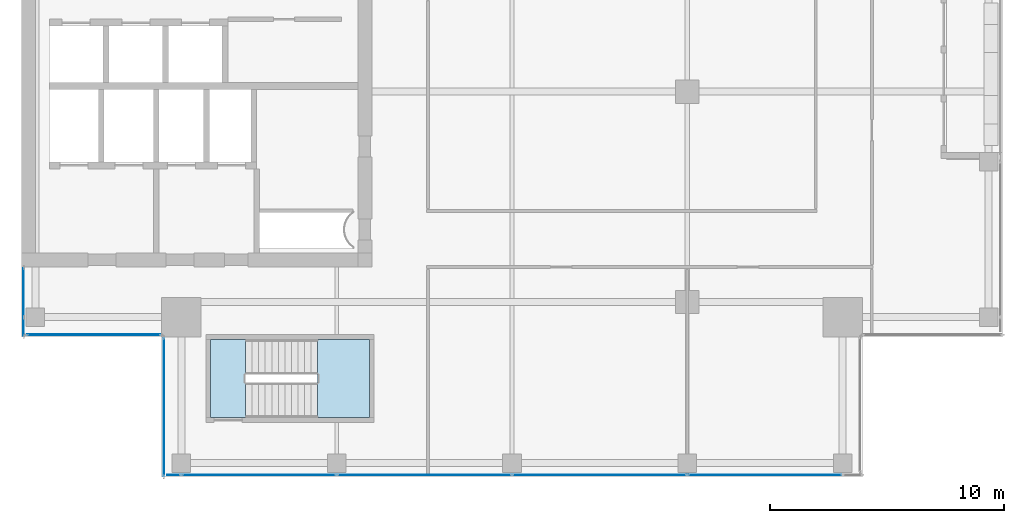
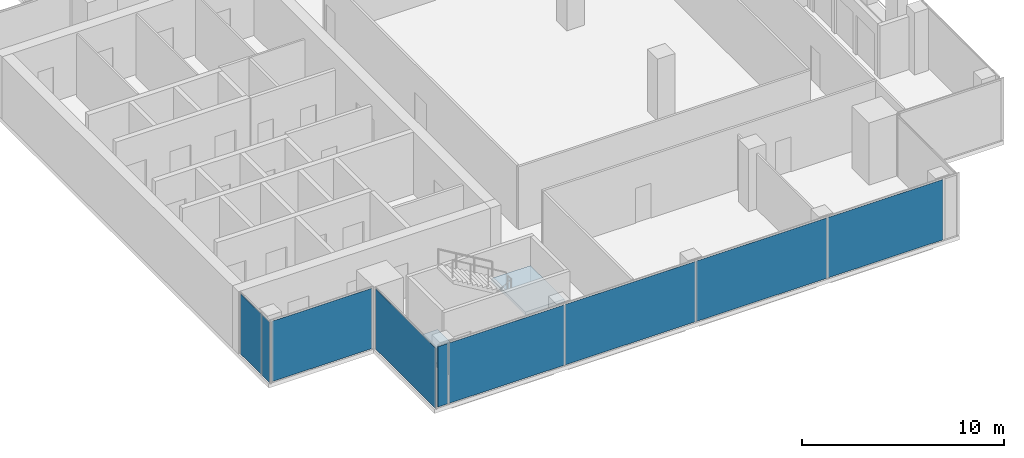
# One storey, part 20 of 29: 9 plates, 2 slabs, 5 elements without a shape of their own.
"""IFC4 building model written with IfcOpenShell, lengths in metres."""

from ifc_helpers import new_model, si_unit, direction, frame, origin, origin_2d, place, context, subcontext, project, spatial, polyline, rectangle, outline, extrude, source, transform, mapped, material, layer, layer_set, type_object, element, aggregate, save


model = new_model("IFC4")

# Units and contexts
model_context = context("Model", 3, precision=1e-05, world=origin(), true_north=direction((0.0, 1.0)))
body_context = subcontext(model_context, "Body", "Model", "MODEL_VIEW")
ifc_project = project(units=[si_unit("LENGTHUNIT", "METRE"), si_unit("AREAUNIT", "SQUARE_METRE"), si_unit("VOLUMEUNIT", "CUBIC_METRE"), si_unit("PLANEANGLEUNIT", "RADIAN"), si_unit("MASSUNIT", "GRAM", prefix="KILO")], contexts=[model_context])

# Site, building, storey
site_placement = place(None, origin())
site = spatial("IfcSite", under=ifc_project, at=site_placement, CompositionType="ELEMENT")
building_placement = place(site_placement, origin())
building = spatial("IfcBuilding", under=site, at=building_placement, Name="Khomas Fold Tower", CompositionType="ELEMENT")
storey_placement = place(building_placement, frame((0.0, 0.0, 326.199951171875)))
storey = spatial("IfcBuildingStorey", under=building, at=storey_placement, Name="L74", CompositionType="ELEMENT", Elevation=326.199951171875)

# Curtain wall, plates
ifc_material_1 = material(Name="Aluminium framed double glazing", Category="aluminium")
curtain_wall_type = type_object("IfcCurtainWallType", Name="SK-Unitised clear-glass wall, upper floors CW3", PredefinedType="NOTDEFINED", material=ifc_material_1)
curtain_wall_1_placement = place(storey_placement, origin())
curtain_wall_1 = element("IfcCurtainWall", 1, at=curtain_wall_1_placement, inside=storey, type_object=curtain_wall_type, Name="CW3 run L74 00-0", PredefinedType="NOTDEFINED")
ifc_material_2 = material(Name="Clear double glazed unit")
ifc_layer_1 = layer(ifc_material_2, 0.028076171875)
ifc_layer_set_1 = layer_set([ifc_layer_1], Name="Clear double glazed unit")
plate_type = type_object("IfcPlateType", Name="SK-Unitised clear-glass wall, upper floors glass panel CW3-P", PredefinedType="CURTAIN_PANEL", material=ifc_layer_set_1)
shared_shape_1 = source(origin(), body_context, "Body", "SweptSolid", [
    extrude(rectangle(XDim=0.574951171875, YDim=0.028076171875, at=origin_2d()), origin(), (0.0, 0.0, 1.0), 3.64990234375),
])
plate_1_placement = place(storey_placement, frame((12.53759765625, 6.10009765625, 0.0), z_axis=(0.0, 0.0, 1.0), x_axis=(1.0, 0.0, 0.0)))
plate_1 = element("IfcPlate", 2, at=plate_1_placement, type_object=plate_type, Name="CW3 glass panel 1", PredefinedType="CURTAIN_PANEL", context=body_context, shape_type="MappedRepresentation", body=[
    mapped(shared_shape_1, transform((0.0, 0.0, 0.0))),
])
shared_shape_2 = source(origin(), body_context, "Body", "SweptSolid", [
    extrude(rectangle(XDim=6.60009765625, YDim=0.028076171875, at=origin_2d()), origin(), (0.0, 0.0, 1.0), 3.64990234375),
])
plate_2_placement = place(storey_placement, frame((16.175048828125, 6.10009765625, 0.0), z_axis=(0.0, 0.0, 1.0), x_axis=(1.0, 0.0, 0.0)))
plate_2 = element("IfcPlate", 3, at=plate_2_placement, type_object=plate_type, Name="CW3 glass panel 2", PredefinedType="CURTAIN_PANEL", context=body_context, shape_type="MappedRepresentation", body=[
    mapped(shared_shape_2, transform((0.0, 0.0, 0.0))),
])
plate_3_placement = place(storey_placement, frame((37.824951171875, 6.10009765625, 0.0), z_axis=(0.0, 0.0, 1.0), x_axis=(1.0, 0.0, 0.0)))
plate_3 = element("IfcPlate", 4, at=plate_3_placement, type_object=plate_type, Name="CW3 glass panel 5", PredefinedType="CURTAIN_PANEL", context=body_context, shape_type="MappedRepresentation", body=[
    mapped(shared_shape_2, transform((0.0, 0.0, 0.0))),
])
shared_shape_3 = source(origin(), body_context, "Body", "SweptSolid", [
    extrude(rectangle(XDim=7.449951171875, YDim=0.028076171875, at=origin_2d()), origin(), (0.0, 0.0, 1.0), 3.64990234375),
])
plate_4_placement = place(storey_placement, frame((23.25, 6.10009765625, 0.0), z_axis=(0.0, 0.0, 1.0), x_axis=(1.0, 0.0, 0.0)))
plate_4 = element("IfcPlate", 5, at=plate_4_placement, type_object=plate_type, Name="CW3 glass panel 3", PredefinedType="CURTAIN_PANEL", context=body_context, shape_type="MappedRepresentation", body=[
    mapped(shared_shape_3, transform((0.0, 0.0, 0.0))),
])
plate_5_placement = place(storey_placement, frame((30.75, 6.10009765625, 0.0), z_axis=(0.0, 0.0, 1.0), x_axis=(1.0, 0.0, 0.0)))
plate_5 = element("IfcPlate", 6, at=plate_5_placement, type_object=plate_type, Name="CW3 glass panel 4", PredefinedType="CURTAIN_PANEL", context=body_context, shape_type="MappedRepresentation", body=[
    mapped(shared_shape_3, transform((0.0, 0.0, 0.0))),
])
aggregate(curtain_wall_1, [plate_1, plate_2, plate_4, plate_5, plate_3])

# Curtain wall, plate
curtain_wall_2_placement = place(storey_placement, origin())
curtain_wall_2 = element("IfcCurtainWall", 7, at=curtain_wall_2_placement, inside=storey, type_object=curtain_wall_type, Name="CW3 run L74 09-1", PredefinedType="NOTDEFINED")
shared_shape_4 = source(origin(), body_context, "Body", "SweptSolid", [
    extrude(rectangle(XDim=0.77490234375, YDim=0.028076171875, at=origin_2d()), origin(), (0.0, 0.0, 1.0), 3.64990234375),
])
plate_6_placement = place(storey_placement, frame((6.10009765625, 12.4375, 0.0), z_axis=(0.0, 0.0, 1.0), x_axis=(0.0, -1.0, 0.0)))
plate_6 = element("IfcPlate", 8, at=plate_6_placement, type_object=plate_type, Name="CW3 glass panel 2", PredefinedType="CURTAIN_PANEL", context=body_context, shape_type="MappedRepresentation", body=[
    mapped(shared_shape_4, transform((0.0, 0.0, 0.0))),
])

curtain_wall_3_placement = place(storey_placement, origin())
curtain_wall_3 = element("IfcCurtainWall", 9, at=curtain_wall_3_placement, inside=storey, type_object=curtain_wall_type, Name="CW3 corner return L74 10", PredefinedType="NOTDEFINED")
shared_shape_5 = source(origin(), body_context, "Body", "SweptSolid", [
    extrude(rectangle(XDim=5.699951171875, YDim=0.028076171875, at=origin_2d()), origin(), (0.0, 0.0, 1.0), 3.64990234375),
])
plate_7_placement = place(storey_placement, frame((9.10009765625, 12.10009765625, 0.0), z_axis=(0.0, 0.0, 1.0), x_axis=(1.0, 0.0, 0.0)))
plate_7 = element("IfcPlate", 10, at=plate_7_placement, type_object=plate_type, Name="CW3 glass panel 1", PredefinedType="CURTAIN_PANEL", context=body_context, shape_type="MappedRepresentation", body=[
    mapped(shared_shape_5, transform((0.0, 0.0, 0.0))),
])
aggregate(curtain_wall_3, [plate_7])

curtain_wall_4_placement = place(storey_placement, origin())
curtain_wall_4 = element("IfcCurtainWall", 11, at=curtain_wall_4_placement, inside=storey, type_object=curtain_wall_type, Name="CW3 corner return L74 11", PredefinedType="NOTDEFINED")
shared_shape_6 = source(origin(), body_context, "Body", "SweptSolid", [
    extrude(rectangle(XDim=5.89990234375, YDim=0.028076171875, at=origin_2d()), origin(), (0.0, 0.0, 1.0), 3.64990234375),
])
plate_8_placement = place(storey_placement, frame((12.10009765625, 9.0, 0.0), z_axis=(0.0, 0.0, 1.0), x_axis=(0.0, -1.0, 0.0)))
plate_8 = element("IfcPlate", 12, at=plate_8_placement, type_object=plate_type, Name="CW3 glass panel 1", PredefinedType="CURTAIN_PANEL", context=body_context, shape_type="MappedRepresentation", body=[
    mapped(shared_shape_6, transform((0.0, 0.0, 0.0))),
])
aggregate(curtain_wall_4, [plate_8])

# Plate
shared_shape_7 = source(origin(), body_context, "Body", "SweptSolid", [
    extrude(rectangle(XDim=2.074951171875, YDim=0.028076171875, at=origin_2d()), origin(), (0.0, 0.0, 1.0), 3.64990234375),
])
plate_9_placement = place(storey_placement, frame((6.10009765625, 13.91259765625, 0.0), z_axis=(0.0, 0.0, 1.0), x_axis=(0.0, -1.0, 0.0)))
plate_9 = element("IfcPlate", 13, at=plate_9_placement, type_object=plate_type, Name="CW3 glass panel 1", PredefinedType="CURTAIN_PANEL", context=body_context, shape_type="MappedRepresentation", body=[
    mapped(shared_shape_7, transform((0.0, 0.0, 0.0))),
])

aggregate(curtain_wall_2, [plate_9, plate_6])

# Stair, slab
ifc_material_3 = material(Name="Concrete C40/50", Category="concrete")
stair_type = type_object("IfcStairType", Name="Stair ST2", PredefinedType="HALF_TURN_STAIR", material=ifc_material_3)
stair_placement = place(storey_placement, origin())
stair = element("IfcStair", 14, at=stair_placement, inside=storey, type_object=stair_type, Name="L74 ST2", PredefinedType="HALF_TURN_STAIR")
ifc_material_4 = material(Name="Concrete C40/50", Category="concrete")
ifc_layer_2 = layer(ifc_material_4, 0.199951171875)
ifc_layer_set_2 = layer_set([ifc_layer_2], Name="Concrete C40/50")
slab_type_1 = type_object("IfcSlabType", Name="Stair landing 200", PredefinedType="LANDING", material=ifc_layer_set_2)
shared_shape_8 = source(origin(), body_context, "Body", "SweptSolid", [
    extrude(outline(polyline([(18.679931640625, 8.550048828125), (20.89990234375, 8.550048828125), (20.89990234375, 11.89990234375), (18.679931640625, 11.89990234375), (18.679931640625, 8.550048828125)])), origin(), (0.0, 0.0, 1.0), 0.199951171875),
])
slab_1_placement = place(storey_placement, frame((0.0, 0.0, 1.800048828125)))
slab_1 = element("IfcSlab", 15, at=slab_1_placement, type_object=slab_type_1, Name="ST2 landing 1", PredefinedType="LANDING", context=body_context, shape_type="MappedRepresentation", body=[
    mapped(shared_shape_8, transform((0.0, 0.0, 0.0))),
])
aggregate(stair, [slab_1])

# Slab
ifc_material_5 = material(Name="Concrete C40/50", Category="concrete")
ifc_layer_3 = layer(ifc_material_5, 0.25)
ifc_layer_set_3 = layer_set([ifc_layer_3], Name="Concrete C40/50")
slab_type_2 = type_object("IfcSlabType", Name="Stair floor landing 250", PredefinedType="LANDING", material=ifc_layer_set_3)
shared_shape_9 = source(origin(), body_context, "Body", "SweptSolid", [
    extrude(outline(polyline([(15.60009765625, 8.550048828125), (14.10009765625, 8.550048828125), (14.10009765625, 11.89990234375), (15.60009765625, 11.89990234375), (15.60009765625, 8.550048828125)])), origin(), (0.0, 0.0, 1.0), 0.25),
])
slab_2_placement = place(storey_placement, frame((0.0, 0.0, -0.25)))
element("IfcSlab", 16, at=slab_2_placement, inside=storey, type_object=slab_type_2, Name="ST2 floor landing", PredefinedType="LANDING", context=body_context, shape_type="MappedRepresentation", body=[
    mapped(shared_shape_9, transform((0.0, 0.0, 0.0))),
])

save(model, "model.ifc")
